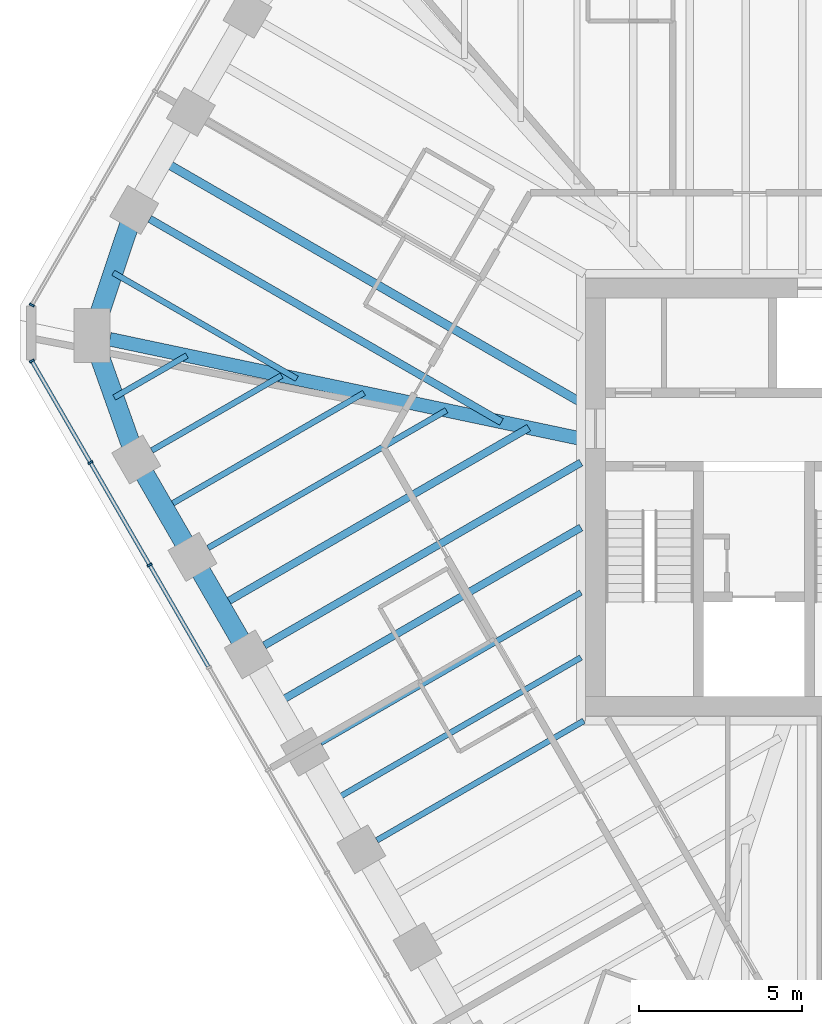
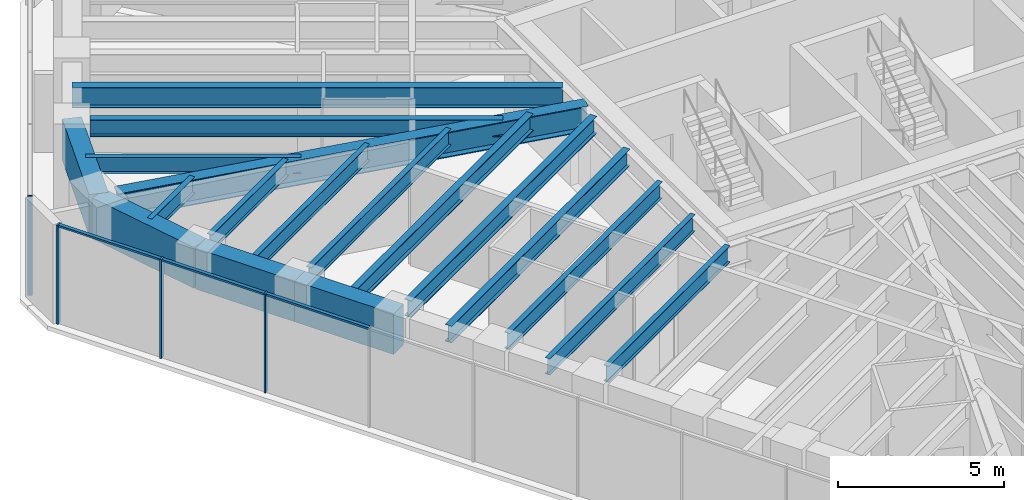
# One storey, part 3 of 14: 18 beams, 7 members, 2 elements without a shape of their own.
"""IFC4 building model written with IfcOpenShell, lengths in metres."""

from ifc_helpers import new_model, si_unit, direction, frame, origin, origin_2d, place, context, subcontext, project, spatial, rectangle, i_section, extrude, material, material_profile, profile_set, type_object, element, aggregate, save


model = new_model("IFC4")

# Units and contexts
model_context = context("Model", 3, precision=1e-05, world=origin(), true_north=direction((0.0, 1.0)))
body_context = subcontext(model_context, "Body", "Model", "MODEL_VIEW")
ifc_project = project(units=[si_unit("LENGTHUNIT", "METRE"), si_unit("AREAUNIT", "SQUARE_METRE"), si_unit("VOLUMEUNIT", "CUBIC_METRE"), si_unit("PLANEANGLEUNIT", "RADIAN"), si_unit("MASSUNIT", "GRAM", prefix="KILO")], contexts=[model_context])

# Site, building, storey
site_placement = place(None, origin())
site = spatial("IfcSite", under=ifc_project, at=site_placement, CompositionType="ELEMENT")
building_placement = place(site_placement, origin())
building = spatial("IfcBuilding", under=site, at=building_placement, Name="Sandreach Pilgrim Tower", CompositionType="ELEMENT")
storey_placement = place(building_placement, frame((0.0, 0.0, 272.199951171875)))
storey = spatial("IfcBuildingStorey", under=building, at=storey_placement, Name="L68", CompositionType="ELEMENT", Elevation=272.199951171875)

# Curtain wall, members
ifc_material_1 = material(Name="Aluminium framed curtain wall", Category="aluminium")
curtain_wall_type = type_object("IfcCurtainWallType", Name="Suite tower curtain wall", PredefinedType="NOTDEFINED", material=ifc_material_1)
curtain_wall_1_placement = place(storey_placement, origin())
curtain_wall_1 = element("IfcCurtainWall", 1, at=curtain_wall_1_placement, inside=storey, type_object=curtain_wall_type, Name="CW-4 L68 SW", PredefinedType="NOTDEFINED")
ifc_material_2 = material(Name="Aluminium extrusion", Category="aluminium")
ifc_material_profile_1 = material_profile(ifc_material_2, rectangle(XDim=0.06005859375, YDim=0.159912109375, at=origin_2d()), Name="CW-4M 60X160")
ifc_profile_set_1 = profile_set([ifc_material_profile_1], Name="Aluminium extrusion")
member_type_1 = type_object("IfcMemberType", Name="CW-4 mullion", PredefinedType="MULLION", material=ifc_profile_set_1)
member_1_placement = place(storey_placement, frame((-21.697509765625, -2.071533203125, 0.0), z_axis=(0.0, 0.0, 1.0), x_axis=(-0.5, 0.866025403784, 0.0)))
member_1 = element("IfcMember", 2, at=member_1_placement, type_object=member_type_1, Name="CW-4 mullion 8", PredefinedType="MULLION", context=body_context, shape_type="SweptSolid", body=[
    extrude(rectangle(XDim=0.06005859375, YDim=0.159912109375, at=origin_2d()), origin(), (0.0, 0.0, 1.0), 3.64013671875),
])
member_2_placement = place(storey_placement, frame((-23.508544921875, 1.06494140625, 0.0), z_axis=(0.0, 0.0, 1.0), x_axis=(-0.5, 0.866025403784, 0.0)))
member_2 = element("IfcMember", 3, at=member_2_placement, type_object=member_type_1, Name="CW-4 mullion 9", PredefinedType="MULLION", context=body_context, shape_type="SweptSolid", body=[
    extrude(rectangle(XDim=0.06005859375, YDim=0.159912109375, at=origin_2d()), origin(), (0.0, 0.0, 1.0), 3.64013671875),
])
member_3_placement = place(storey_placement, frame((-25.304443359375, 4.175537109375, 0.0), z_axis=(0.0, 0.0, 1.0), x_axis=(-0.5, 0.866025403784, 0.0)))
member_3 = element("IfcMember", 4, at=member_3_placement, type_object=member_type_1, Name="CW-4 mullion 10", PredefinedType="MULLION", context=body_context, shape_type="SweptSolid", body=[
    extrude(rectangle(XDim=0.06005859375, YDim=0.159912109375, at=origin_2d()), origin(), (0.0, 0.0, 1.0), 3.64013671875),
])

# Curtain wall, member
curtain_wall_2_placement = place(storey_placement, origin())
curtain_wall_2 = element("IfcCurtainWall", 5, at=curtain_wall_2_placement, inside=storey, type_object=curtain_wall_type, Name="CW-4 L68 NW", PredefinedType="NOTDEFINED")
member_4_placement = place(storey_placement, frame((-25.304443359375, 5.8876953125, 0.0), z_axis=(0.0, 0.0, 1.0), x_axis=(0.5, 0.866025403784, 0.0)))
member_4 = element("IfcMember", 6, at=member_4_placement, type_object=member_type_1, Name="CW-4 mullion 1", PredefinedType="MULLION", context=body_context, shape_type="SweptSolid", body=[
    extrude(rectangle(XDim=0.06005859375, YDim=0.159912109375, at=origin_2d()), origin(), (0.0, 0.0, 1.0), 3.64013671875),
])
aggregate(curtain_wall_2, [member_4])

# Member
ifc_material_3 = material(Name="Aluminium extrusion", Category="aluminium")
ifc_material_profile_2 = material_profile(ifc_material_3, rectangle(XDim=0.1201171875, YDim=0.070068359375, at=origin_2d()), Name="CW-4T 120X70")
ifc_profile_set_2 = profile_set([ifc_material_profile_2], Name="Aluminium extrusion")
member_type_2 = type_object("IfcMemberType", Name="CW-4 transom", PredefinedType="USERDEFINED", material=ifc_profile_set_2)
member_5_placement = place(storey_placement, frame((-19.901611328125, -5.182373046875, 3.60498046875), z_axis=(-0.500009219579, 0.866020080793, 0.0), x_axis=(-0.866020080793, -0.500009219579, 0.0)))
member_5 = element("IfcMember", 7, at=member_5_placement, type_object=member_type_2, Name="CW-4 head transom 7", ObjectType="TRANSOM", PredefinedType="USERDEFINED", context=body_context, shape_type="SweptSolid", body=[
    extrude(rectangle(XDim=0.1201171875, YDim=0.070068359375, at=origin_2d()), origin(), (0.0, 0.0, 1.0), 3.56201171875),
])

member_6_placement = place(storey_placement, frame((-21.71240234375, -2.045654296875, 3.60498046875), z_axis=(-0.500009219579, 0.866020080793, 0.0), x_axis=(-0.866020080793, -0.500009219579, 0.0)))
member_6 = element("IfcMember", 8, at=member_6_placement, type_object=member_type_2, Name="CW-4 head transom 8", ObjectType="TRANSOM", PredefinedType="USERDEFINED", context=body_context, shape_type="SweptSolid", body=[
    extrude(rectangle(XDim=0.1201171875, YDim=0.070068359375, at=origin_2d()), origin(), (0.0, 0.0, 1.0), 3.56201171875),
])

member_7_placement = place(storey_placement, frame((-23.5234375, 1.091064453125, 3.60498046875), z_axis=(-0.499997709859, 0.866026725994, 0.0), x_axis=(-0.866026725994, -0.499997709859, 0.0)))
member_7 = element("IfcMember", 9, at=member_7_placement, type_object=member_type_2, Name="CW-4 head transom 9", ObjectType="TRANSOM", PredefinedType="USERDEFINED", context=body_context, shape_type="SweptSolid", body=[
    extrude(rectangle(XDim=0.1201171875, YDim=0.070068359375, at=origin_2d()), origin(), (0.0, 0.0, 1.0), 3.53173828125),
])

aggregate(curtain_wall_1, [member_1, member_2, member_3, member_5, member_6, member_7])

# Beams
ifc_material_4 = material(Name="Steel ASTM A992 Grade 50", Category="steel")
ifc_material_profile_3 = material_profile(ifc_material_4, i_section(OverallWidth=0.419189453125, OverallDepth=0.927001953125, WebThickness=0.019287109375, FlangeThickness=0.031982421875, at=origin_2d()), Name="W36X231")
ifc_profile_set_3 = profile_set([ifc_material_profile_3], Name="Steel ASTM A992 Grade 50")
beam_type_1 = type_object("IfcBeamType", Name="Corner girder W36X231", PredefinedType="BEAM", material=ifc_profile_set_3)
beam_1_placement = place(storey_placement, frame((-22.917724609375, 4.838623046875, 3.176513671875), z_axis=(0.978430270369, -0.206577360876, 0.0), x_axis=(0.206577360876, 0.978430270369, 0.0)))
element("IfcBeam", 10, at=beam_1_placement, inside=storey, type_object=beam_type_1, Name="BM L68 CG35", PredefinedType="BEAM", context=body_context, shape_type="SweptSolid", body=[
    extrude(i_section(OverallWidth=0.419189453125, OverallDepth=0.927001953125, WebThickness=0.019287109375, FlangeThickness=0.031982421875, at=origin_2d()), origin(), (0.0, 0.0, 1.0), 14.888671875),
])
ifc_material_5 = material(Name="Steel ASTM A992 Grade 50", Category="steel")
ifc_material_profile_4 = material_profile(ifc_material_5, i_section(OverallWidth=0.1787109375, OverallDepth=0.60205078125, WebThickness=0.010986328125, FlangeThickness=0.014892578125, at=origin_2d()), Name="W24X62")
ifc_profile_set_4 = profile_set([ifc_material_profile_4], Name="Steel ASTM A992 Grade 50")
beam_type_2 = type_object("IfcBeamType", Name="Floor beam W24X62", PredefinedType="BEAM", material=ifc_profile_set_4)
beam_2_placement = place(storey_placement, frame((-14.741455078125, -10.5, 3.339111328125), z_axis=(0.866019920622, 0.500009496996, 0.0), x_axis=(-0.500009496996, 0.866019920622, 0.0)))
element("IfcBeam", 11, at=beam_2_placement, inside=storey, type_object=beam_type_2, Name="BM L68 F30", PredefinedType="BEAM", context=body_context, shape_type="SweptSolid", body=[
    extrude(i_section(OverallWidth=0.1787109375, OverallDepth=0.60205078125, WebThickness=0.010986328125, FlangeThickness=0.014892578125, at=origin_2d()), origin(), (0.0, 0.0, 1.0), 7.313232421875),
])
beam_3_placement = place(storey_placement, frame((-16.4638671875, -7.516357421875, 3.339111328125), z_axis=(0.866022580836, 0.500004889459, 0.0), x_axis=(-0.500004889459, 0.866022580836, 0.0)))
element("IfcBeam", 12, at=beam_3_placement, inside=storey, type_object=beam_type_2, Name="BM L68 F31", PredefinedType="BEAM", context=body_context, shape_type="SweptSolid", body=[
    extrude(i_section(OverallWidth=0.1787109375, OverallDepth=0.60205078125, WebThickness=0.010986328125, FlangeThickness=0.014892578125, at=origin_2d()), origin(), (0.0, 0.0, 1.0), 9.20361328125),
])
beam_4_placement = place(storey_placement, frame((-19.908935546875, -1.549560546875, 3.339111328125), z_axis=(0.866026819143, 0.499997548519, 0.0), x_axis=(-0.499997548519, 0.866026819143, 0.0)))
element("IfcBeam", 13, at=beam_4_placement, inside=storey, type_object=beam_type_2, Name="BM L68 F33", PredefinedType="BEAM", context=body_context, shape_type="SweptSolid", body=[
    extrude(i_section(OverallWidth=0.1787109375, OverallDepth=0.60205078125, WebThickness=0.010986328125, FlangeThickness=0.014892578125, at=origin_2d()), origin(), (0.0, 0.0, 1.0), 8.4248046875),
])
beam_5_placement = place(storey_placement, frame((-21.631591796875, 1.433837890625, 3.339111328125), z_axis=(0.866037621819, 0.499978837146, 0.0), x_axis=(-0.499978837146, 0.866037621819, 0.0)))
element("IfcBeam", 14, at=beam_5_placement, inside=storey, type_object=beam_type_2, Name="BM L68 F34", PredefinedType="BEAM", context=body_context, shape_type="SweptSolid", body=[
    extrude(i_section(OverallWidth=0.1787109375, OverallDepth=0.60205078125, WebThickness=0.010986328125, FlangeThickness=0.014892578125, at=origin_2d()), origin(), (0.0, 0.0, 1.0), 4.588623046875),
])
beam_6_placement = place(storey_placement, frame((-16.0791015625, -9.283203125, 3.339111328125), z_axis=(0.866023595995, 0.500003131169, 0.0), x_axis=(-0.500003131169, 0.866023595995, 0.0)))
element("IfcBeam", 15, at=beam_6_placement, inside=storey, type_object=beam_type_2, Name="BM L68 FM30", PredefinedType="BEAM", context=body_context, shape_type="SweptSolid", body=[
    extrude(i_section(OverallWidth=0.1787109375, OverallDepth=0.60205078125, WebThickness=0.010986328125, FlangeThickness=0.014892578125, at=origin_2d()), origin(), (0.0, 0.0, 1.0), 8.75927734375),
])
beam_7_placement = place(storey_placement, frame((-21.24658203125, -0.332763671875, 3.339111328125), z_axis=(0.866028878405, 0.499993981732, 0.0), x_axis=(-0.499993981732, 0.866028878405, 0.0)))
element("IfcBeam", 16, at=beam_7_placement, inside=storey, type_object=beam_type_2, Name="BM L68 FM33", PredefinedType="BEAM", context=body_context, shape_type="SweptSolid", body=[
    extrude(i_section(OverallWidth=0.1787109375, OverallDepth=0.60205078125, WebThickness=0.010986328125, FlangeThickness=0.014892578125, at=origin_2d()), origin(), (0.0, 0.0, 1.0), 7.056640625),
])
beam_8_placement = place(storey_placement, frame((-22.78173828125, 3.0556640625, 3.339111328125), z_axis=(0.8660004255, 0.500043261163, 0.0), x_axis=(-0.500043261163, 0.8660004255, 0.0)))
element("IfcBeam", 17, at=beam_8_placement, inside=storey, type_object=beam_type_2, Name="BM L68 FM34", PredefinedType="BEAM", context=body_context, shape_type="SweptSolid", body=[
    extrude(i_section(OverallWidth=0.1787109375, OverallDepth=0.60205078125, WebThickness=0.010986328125, FlangeThickness=0.014892578125, at=origin_2d()), origin(), (0.0, 0.0, 1.0), 2.569091796875),
])
beam_9_placement = place(storey_placement, frame((-22.8125, 6.875, 3.339111328125), z_axis=(0.866023980233, -0.500002465655, 0.0), x_axis=(0.500002465655, 0.866023980233, 0.0)))
element("IfcBeam", 18, at=beam_9_placement, inside=storey, type_object=beam_type_2, Name="BM L68 FM35", PredefinedType="BEAM", context=body_context, shape_type="SweptSolid", body=[
    extrude(i_section(OverallWidth=0.1787109375, OverallDepth=0.60205078125, WebThickness=0.010986328125, FlangeThickness=0.014892578125, at=origin_2d()), origin(), (0.0, 0.0, 1.0), 6.49072265625),
])
ifc_material_6 = material(Name="Steel ASTM A992 Grade 50", Category="steel")
ifc_material_profile_5 = material_profile(ifc_material_6, i_section(OverallWidth=0.23046875, OverallDepth=0.6171875, WebThickness=0.01318359375, FlangeThickness=0.022216796875, at=origin_2d()), Name="W24X94")
ifc_profile_set_5 = profile_set([ifc_material_profile_5], Name="Steel ASTM A992 Grade 50")
beam_type_3 = type_object("IfcBeamType", Name="Floor beam W24X94", PredefinedType="BEAM", material=ifc_profile_set_5)
beam_10_placement = place(storey_placement, frame((-18.1865234375, -4.532958984375, 3.33154296875), z_axis=(0.866030482771, 0.499991202833, 0.0), x_axis=(-0.499991202833, 0.866030482771, 0.0)))
element("IfcBeam", 19, at=beam_10_placement, inside=storey, type_object=beam_type_3, Name="BM L68 F32", PredefinedType="BEAM", context=body_context, shape_type="SweptSolid", body=[
    extrude(i_section(OverallWidth=0.23046875, OverallDepth=0.6171875, WebThickness=0.01318359375, FlangeThickness=0.022216796875, at=origin_2d()), origin(), (0.0, 0.0, 1.0), 11.192626953125),
])
beam_11_placement = place(storey_placement, frame((-21.69287109375, 8.522705078125, 3.33154296875), z_axis=(0.866028931402, -0.499993889937, 0.0), x_axis=(0.499993889937, 0.866028931402, 0.0)))
element("IfcBeam", 20, at=beam_11_placement, inside=storey, type_object=beam_type_3, Name="BM L68 F36", PredefinedType="BEAM", context=body_context, shape_type="SweptSolid", body=[
    extrude(i_section(OverallWidth=0.23046875, OverallDepth=0.6171875, WebThickness=0.01318359375, FlangeThickness=0.022216796875, at=origin_2d()), origin(), (0.0, 0.0, 1.0), 12.431396484375),
])
beam_12_placement = place(storey_placement, frame((-17.801513671875, -6.2998046875, 3.33154296875), z_axis=(0.866025958161, 0.49999903979, 0.0), x_axis=(-0.49999903979, 0.866025958161, 0.0)))
element("IfcBeam", 21, at=beam_12_placement, inside=storey, type_object=beam_type_3, Name="BM L68 FM31", PredefinedType="BEAM", context=body_context, shape_type="SweptSolid", body=[
    extrude(i_section(OverallWidth=0.23046875, OverallDepth=0.6171875, WebThickness=0.01318359375, FlangeThickness=0.022216796875, at=origin_2d()), origin(), (0.0, 0.0, 1.0), 10.748046875),
])
beam_13_placement = place(storey_placement, frame((-19.52392578125, -3.316162109375, 3.33154296875), z_axis=(0.866029205616, 0.499993414976, 0.0), x_axis=(-0.499993414976, 0.866029205616, 0.0)))
element("IfcBeam", 22, at=beam_13_placement, inside=storey, type_object=beam_type_3, Name="BM L68 FM32", PredefinedType="BEAM", context=body_context, shape_type="SweptSolid", body=[
    extrude(i_section(OverallWidth=0.23046875, OverallDepth=0.6171875, WebThickness=0.01318359375, FlangeThickness=0.022216796875, at=origin_2d()), origin(), (0.0, 0.0, 1.0), 10.893310546875),
])
ifc_material_7 = material(Name="Steel ASTM A992 Grade 50", Category="steel")
ifc_material_profile_6 = material_profile(ifc_material_7, i_section(OverallWidth=0.2666015625, OverallDepth=0.761962890625, WebThickness=0.014404296875, FlangeThickness=0.021484375, at=origin_2d()), Name="W30X116")
ifc_profile_set_6 = profile_set([ifc_material_profile_6], Name="Steel ASTM A992 Grade 50")
beam_type_4 = type_object("IfcBeamType", Name="Floor beam W30X116", PredefinedType="BEAM", material=ifc_profile_set_6)
beam_14_placement = place(storey_placement, frame((-21.302978515625, 10.29833984375, 3.259033203125), z_axis=(0.866028362181, -0.499994875871, 0.0), x_axis=(0.499994875871, 0.866028362181, 0.0)))
element("IfcBeam", 23, at=beam_14_placement, inside=storey, type_object=beam_type_4, Name="BM L68 FM36", PredefinedType="BEAM", context=body_context, shape_type="SweptSolid", body=[
    extrude(i_section(OverallWidth=0.2666015625, OverallDepth=0.761962890625, WebThickness=0.014404296875, FlangeThickness=0.021484375, at=origin_2d()), origin(), (0.0, 0.0, 1.0), 14.791259765625),
])
ifc_material_8 = material(Name="Concrete 10000 psi", Category="concrete")
ifc_material_profile_7 = material_profile(ifc_material_8, rectangle(XDim=0.60009765625, YDim=1.5, at=origin_2d()), Name="RC600X1500")
ifc_profile_set_7 = profile_set([ifc_material_profile_7], Name="Concrete 10000 psi")
beam_type_5 = type_object("IfcBeamType", Name="Spandrel beam RC600X1500", PredefinedType="SPANDREL", material=ifc_profile_set_7)
for number, where, z_axis, x_axis, name in (
    (24, (-18.662841796875, -4.80810546875, 2.89013671875), (-0.499957605418, 0.866049878924, 0.0), (-0.866049878924, -0.499957605418, 0.0), "BM L68 SP32"),
    (25, (-20.38525390625, -1.824462890625, 2.89013671875), (-0.500041441558, 0.866001476168, 0.0), (-0.866001476168, -0.500041441558, 0.0), "BM L68 SP33"),
):
    element("IfcBeam", number, at=place(storey_placement, frame(where, z_axis=z_axis, x_axis=x_axis)), inside=storey, type_object=beam_type_5, Name=name, PredefinedType="SPANDREL", context=body_context, shape_type="SweptSolid", body=[
        extrude(rectangle(XDim=0.60009765625, YDim=1.5, at=origin_2d()), origin(), (0.0, 0.0, 1.0), 3.445068359375),
    ])
beam_15_placement = place(storey_placement, frame((-22.10791015625, 1.158935546875, 2.89013671875), z_axis=(-0.33481464839, 0.94228400773, 0.0), x_axis=(-0.94228400773, -0.33481464839, 0.0)))
element("IfcBeam", 26, at=beam_15_placement, inside=storey, type_object=beam_type_5, Name="BM L68 SP34", PredefinedType="SPANDREL", context=body_context, shape_type="SweptSolid", body=[
    extrude(rectangle(XDim=0.60009765625, YDim=1.5, at=origin_2d()), origin(), (0.0, 0.0, 1.0), 4.02587890625),
])
beam_16_placement = place(storey_placement, frame((-23.455810546875, 4.952392578125, 2.89013671875), z_axis=(0.317293238289, 0.948327475578, 0.0), x_axis=(-0.948327475578, 0.317293238289, 0.0)))
element("IfcBeam", 27, at=beam_16_placement, inside=storey, type_object=beam_type_5, Name="BM L68 SP35", PredefinedType="SPANDREL", context=body_context, shape_type="SweptSolid", body=[
    extrude(rectangle(XDim=0.60009765625, YDim=1.5, at=origin_2d()), origin(), (0.0, 0.0, 1.0), 4.054931640625),
])

save(model, "model.ifc")
